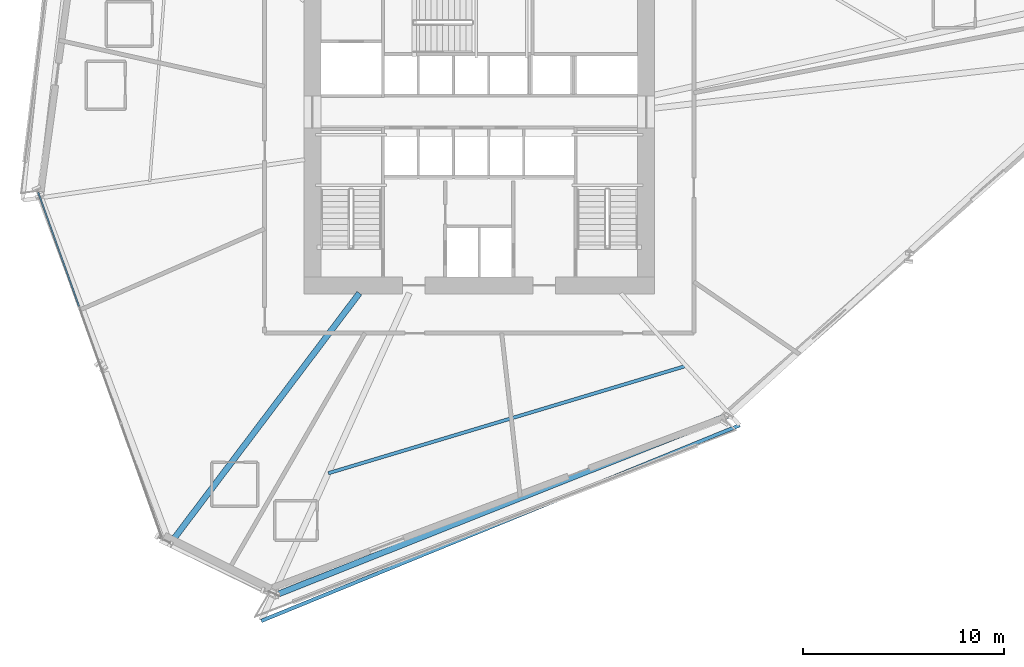
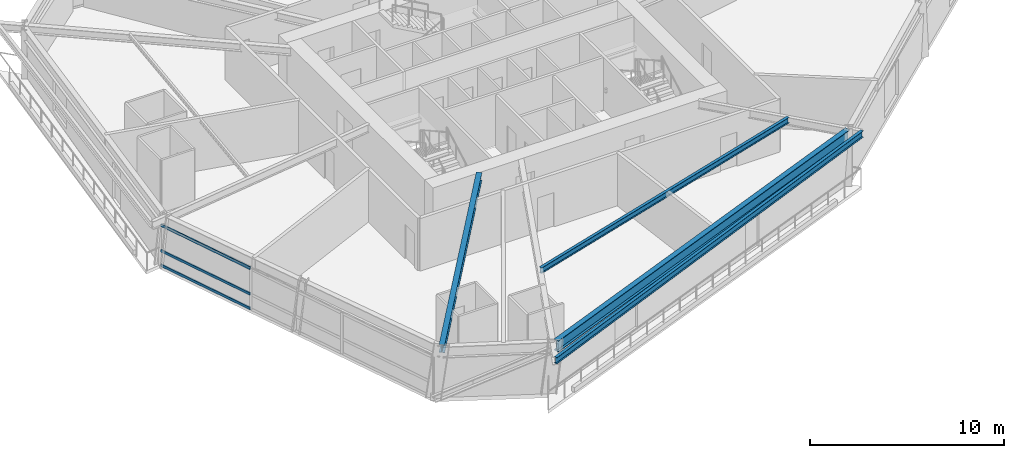
# One storey, part 5 of 24: 4 beams, 3 members, 1 element without a shape of its own.
"""IFC4 building model written with IfcOpenShell, lengths in metres."""

from ifc_helpers import new_model, si_unit, direction, frame, origin, origin_2d, place, context, subcontext, project, spatial, hollow_rectangle, i_section, extrude, source, transform, mapped, material, material_profile, profile_set, type_object, element, aggregate, save


model = new_model("IFC4")

# Units and contexts
model_context = context("Model", 3, precision=1e-05, world=origin(), true_north=direction((0.0, 1.0)))
body_context = subcontext(model_context, "Body", "Model", "MODEL_VIEW")
ifc_project = project(units=[si_unit("LENGTHUNIT", "METRE"), si_unit("AREAUNIT", "SQUARE_METRE"), si_unit("VOLUMEUNIT", "CUBIC_METRE"), si_unit("PLANEANGLEUNIT", "RADIAN"), si_unit("MASSUNIT", "GRAM", prefix="KILO")], contexts=[model_context])

# Site, building, storey
site_placement = place(None, origin())
site = spatial("IfcSite", under=ifc_project, at=site_placement, CompositionType="ELEMENT")
building_placement = place(site_placement, origin())
building = spatial("IfcBuilding", under=site, at=building_placement, Name="Olszyna Solenne Hotel", CompositionType="ELEMENT")
storey_placement = place(building_placement, frame((0.0, 0.0, 64.800048828125)))
storey = spatial("IfcBuildingStorey", under=building, at=storey_placement, Name="L16", CompositionType="ELEMENT", Elevation=64.800048828125)

# Beams
ifc_material_1 = material(Name="Steel S355J2", Category="steel")
ifc_material_profile_1 = material_profile(ifc_material_1, i_section(OverallWidth=0.300048828125, OverallDepth=0.699951171875, WebThickness=0.01708984375, FlangeThickness=0.031982421875, at=origin_2d()), Name="HEB 700", Category="load-bearing")
ifc_profile_set_1 = profile_set([ifc_material_profile_1], Name="Steel S355J2")
beam_type_1 = type_object("IfcBeamType", Name="BM-S1", PredefinedType="BEAM", material=ifc_profile_set_1)
shared_shape_1 = source(origin(), body_context, "Body", "SweptSolid", [
    extrude(i_section(OverallWidth=0.300048828125, OverallDepth=0.699951171875, WebThickness=0.01708984375, FlangeThickness=0.031982421875, at=origin_2d()), origin(), (0.0, 0.0, 1.0), 24.197998046875),
])
beam_1_placement = place(storey_placement, frame((27.93017578125, 3.664794921875, 2.949951171875), z_axis=(0.929418603273, 0.369027180422, 0.0), x_axis=(-0.369027180422, 0.929418603273, 0.0)))
element("IfcBeam", 1, at=beam_1_placement, inside=storey, type_object=beam_type_1, Name="Perimeter spandrel beam BM-S1 B-L16-0504", PredefinedType="BEAM", context=body_context, shape_type="MappedRepresentation", body=[
    mapped(shared_shape_1, transform((0.0, 0.0, 0.0), x_axis=(1.0, 0.0, 0.0), y_axis=(0.0, 1.0, 0.0), z_axis=(0.0, 0.0, 1.0), scale=1.0)),
])
ifc_material_profile_2 = material_profile(ifc_material_1, i_section(OverallWidth=0.300048828125, OverallDepth=0.489990234375, WebThickness=0.011962890625, FlangeThickness=0.02294921875, at=origin_2d()), Name="HEA 500", Category="load-bearing")
ifc_profile_set_2 = profile_set([ifc_material_profile_2], Name="Steel S355J2")
beam_type_2 = type_object("IfcBeamType", Name="BM-G1", PredefinedType="BEAM", material=ifc_profile_set_2)
shared_shape_2 = source(origin(), body_context, "Body", "SweptSolid", [
    extrude(i_section(OverallWidth=0.300048828125, OverallDepth=0.489990234375, WebThickness=0.011962890625, FlangeThickness=0.02294921875, at=origin_2d()), origin(), (0.0, 0.0, 1.0), 15.616455078125),
])
beam_2_placement = place(storey_placement, frame((22.611083984375, 6.2294921875, 3.054931640625), z_axis=(0.602782884679, 0.797905253735, 0.0), x_axis=(-0.797905253735, 0.602782884679, 0.0)))
element("IfcBeam", 2, at=beam_2_placement, inside=storey, type_object=beam_type_2, Name="Radial floor girder BM-G1 B-L16-0513", PredefinedType="BEAM", context=body_context, shape_type="MappedRepresentation", body=[
    mapped(shared_shape_2, transform((0.0, 0.0, 0.0), x_axis=(1.0, 0.0, 0.0), y_axis=(0.0, 1.0, 0.0), z_axis=(0.0, 0.0, 1.0), scale=1.0)),
])
ifc_material_profile_3 = material_profile(ifc_material_1, i_section(OverallWidth=0.169921875, OverallDepth=0.360107421875, WebThickness=0.008056640625, FlangeThickness=0.0126953125, at=origin_2d()), Name="IPE 360", Category="load-bearing")
ifc_profile_set_3 = profile_set([ifc_material_profile_3], Name="Steel S355J2")
beam_type_3 = type_object("IfcBeamType", Name="JS-01", PredefinedType="JOIST", material=ifc_profile_set_3)
shared_shape_3 = source(origin(), body_context, "Body", "SweptSolid", [
    extrude(i_section(OverallWidth=0.169921875, OverallDepth=0.360107421875, WebThickness=0.008056640625, FlangeThickness=0.0126953125, at=origin_2d()), origin(), (0.0, 0.0, 1.0), 18.611572265625),
])
beam_3_placement = place(storey_placement, frame((30.473876953125, 9.709228515625, 3.119873046875), z_axis=(0.95780028664, 0.287434533265, 0.0), x_axis=(-0.287434533265, 0.95780028664, 0.0)))
element("IfcBeam", 3, at=beam_3_placement, inside=storey, type_object=beam_type_3, Name="Secondary composite floor joist JS-01 B-L16-0520", PredefinedType="JOIST", context=body_context, shape_type="MappedRepresentation", body=[
    mapped(shared_shape_3, transform((0.0, 0.0, 0.0), x_axis=(1.0, 0.0, 0.0), y_axis=(0.0, 1.0, 0.0), z_axis=(0.0, 0.0, 1.0), scale=1.0)),
])
ifc_material_profile_4 = material_profile(ifc_material_1, i_section(OverallWidth=0.179931640625, OverallDepth=0.39990234375, WebThickness=0.008544921875, FlangeThickness=0.013427734375, at=origin_2d()), Name="IPE 400", Category="load-bearing")
ifc_profile_set_4 = profile_set([ifc_material_profile_4], Name="Steel S355J2")
beam_type_4 = type_object("IfcBeamType", Name="BM-F5", PredefinedType="BEAM", material=ifc_profile_set_4)
shared_shape_4 = source(origin(), body_context, "Body", "SweptSolid", [
    extrude(i_section(OverallWidth=0.179931640625, OverallDepth=0.39990234375, WebThickness=0.008544921875, FlangeThickness=0.013427734375, at=origin_2d()), origin(), (0.0, 0.0, 1.0), 25.769775390625),
])
beam_4_placement = place(storey_placement, frame((27.1337890625, 2.34619140625, 3.099853515625), z_axis=(0.925595995025, 0.378512950892, 0.0), x_axis=(-0.378512950892, 0.925595995025, 0.0)))
element("IfcBeam", 4, at=beam_4_placement, inside=storey, type_object=beam_type_4, Name="Loggia outer edge beam BM-F5 B-L16-0523", PredefinedType="BEAM", context=body_context, shape_type="MappedRepresentation", body=[
    mapped(shared_shape_4, transform((0.0, 0.0, 0.0), x_axis=(1.0, 0.0, 0.0), y_axis=(0.0, 1.0, 0.0), z_axis=(0.0, 0.0, 1.0), scale=1.0)),
])

# Curtain wall, members
ifc_material_2 = material(Name="Anodised bronze aluminium", Category="aluminium")
curtain_wall_type = type_object("IfcCurtainWallType", Name="CW-SYS-2", PredefinedType="NOTDEFINED", material=ifc_material_2)
curtain_wall_placement = place(storey_placement, origin())
curtain_wall = element("IfcCurtainWall", 5, at=curtain_wall_placement, inside=storey, type_object=curtain_wall_type, Name="Unitised curtain wall CW-SYS-2 CW-L16-01", PredefinedType="NOTDEFINED")
ifc_material_profile_5 = material_profile(ifc_material_2, hollow_rectangle(XDim=0.074951171875, YDim=0.159912109375, WallThickness=0.00390625, at=origin_2d()), Name="TRAN 160x75x4", Category="load-bearing")
ifc_profile_set_5 = profile_set([ifc_material_profile_5], Name="Anodised bronze aluminium")
member_type = type_object("IfcMemberType", Name="CW-T1", PredefinedType="USERDEFINED", material=ifc_profile_set_5)
shared_shape_5 = source(origin(), body_context, "Body", "SweptSolid", [
    extrude(hollow_rectangle(XDim=0.074951171875, YDim=0.159912109375, WallThickness=0.00390625, at=origin_2d()), origin(), (0.0, 0.0, 1.0), 6.039794921875),
])
member_1_placement = place(storey_placement, frame((16.008056640625, 23.712646484375, 0.037353515625), z_axis=(0.33761132776, -0.941285605631, 0.0), x_axis=(0.941285605631, 0.33761132776, 0.0)))
member_1 = element("IfcMember", 6, at=member_1_placement, type_object=member_type, Name="Curtain-wall transom CW-T1 CT-L16-01-01", ObjectType="TRANSOM", PredefinedType="USERDEFINED", context=body_context, shape_type="MappedRepresentation", body=[
    mapped(shared_shape_5, transform((0.0, 0.0, 0.0), x_axis=(1.0, 0.0, 0.0), y_axis=(0.0, 1.0, 0.0), z_axis=(0.0, 0.0, 1.0), scale=1.0)),
])
member_2_placement = place(storey_placement, frame((16.008056640625, 23.712646484375, 0.949951171875), z_axis=(0.33761132776, -0.941285605631, 0.0), x_axis=(0.941285605631, 0.33761132776, 0.0)))
member_2 = element("IfcMember", 7, at=member_2_placement, type_object=member_type, Name="Curtain-wall transom CW-T1 CT-L16-01-02", ObjectType="TRANSOM", PredefinedType="USERDEFINED", context=body_context, shape_type="MappedRepresentation", body=[
    mapped(shared_shape_5, transform((0.0, 0.0, 0.0), x_axis=(1.0, 0.0, 0.0), y_axis=(0.0, 1.0, 0.0), z_axis=(0.0, 0.0, 1.0), scale=1.0)),
])
member_3_placement = place(storey_placement, frame((16.008056640625, 23.712646484375, 2.554443359375), z_axis=(0.33761132776, -0.941285605631, 0.0), x_axis=(0.941285605631, 0.33761132776, 0.0)))
member_3 = element("IfcMember", 8, at=member_3_placement, type_object=member_type, Name="Curtain-wall transom CW-T1 CT-L16-01-03", ObjectType="TRANSOM", PredefinedType="USERDEFINED", context=body_context, shape_type="MappedRepresentation", body=[
    mapped(shared_shape_5, transform((0.0, 0.0, 0.0), x_axis=(1.0, 0.0, 0.0), y_axis=(0.0, 1.0, 0.0), z_axis=(0.0, 0.0, 1.0), scale=1.0)),
])
aggregate(curtain_wall, [member_1, member_2, member_3])

save(model, "model.ifc")
